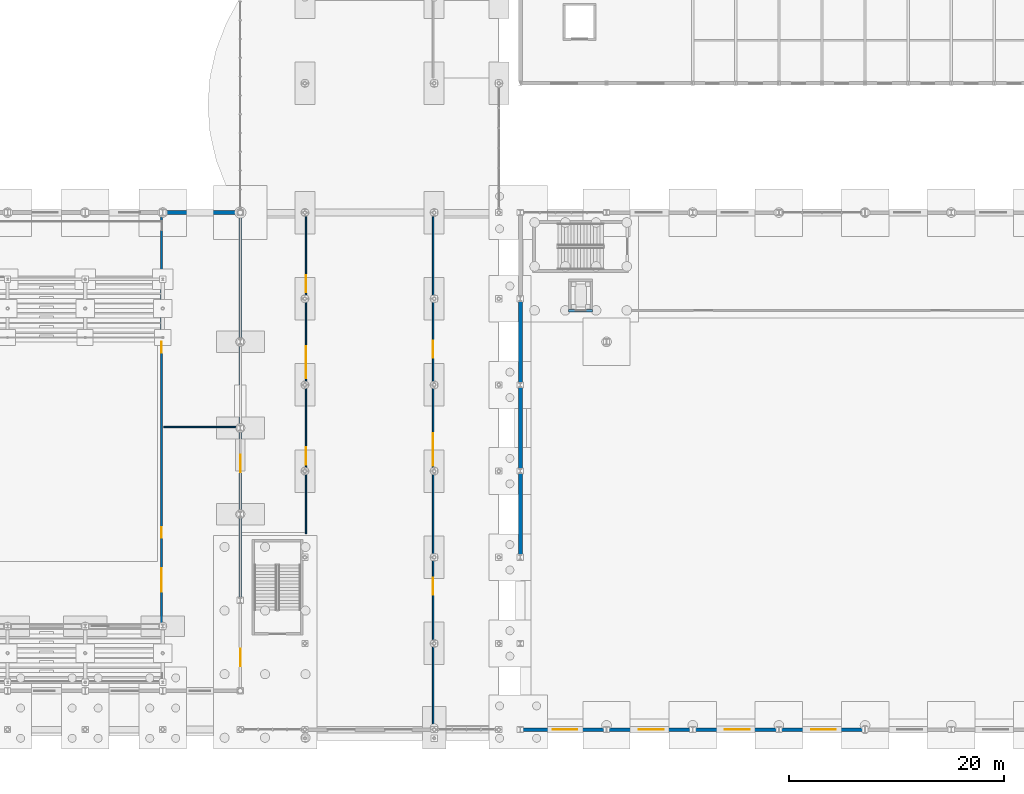
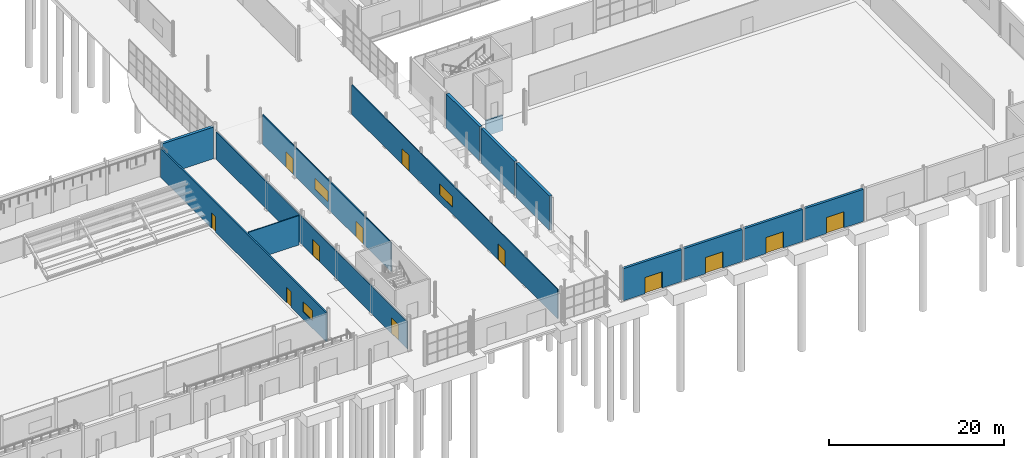
# One storey, part 76 of 101: 14 walls, 12 doors, 3 windows, 15 openings.
"""IFC4 building model written with IfcOpenShell, lengths in metres."""

from ifc_helpers import new_model, si_unit, derived_unit, direction, frame, frame_2d, origin, place, context, subcontext, project, spatial, rectangle, extrude, material, layer, layer_set, type_object, element, fill, save


model = new_model("IFC4")

# Units and contexts
model_context = context("Model", 3, precision=1e-05, world=origin(), true_north=direction((0.0, 1.0)))
body_context = subcontext(model_context, "Body", "Model", "MODEL_VIEW")
ifc_project = project(units=[si_unit("LENGTHUNIT", "METRE"), si_unit("AREAUNIT", "SQUARE_METRE"), si_unit("VOLUMEUNIT", "CUBIC_METRE"), si_unit("PLANEANGLEUNIT", "RADIAN"), si_unit("MASSUNIT", "GRAM", prefix="KILO"), derived_unit("THERMALTRANSMITTANCEUNIT", [(si_unit("POWERUNIT", "WATT"), 1), (si_unit("LENGTHUNIT", "METRE"), -2), (si_unit("THERMODYNAMICTEMPERATUREUNIT", "KELVIN"), -1)])], contexts=[model_context])

# Site, building, storey
site_placement = place(None, origin())
site = spatial("IfcSite", under=ifc_project, at=site_placement, CompositionType="ELEMENT")
building_placement = place(site_placement, origin())
building = spatial("IfcBuilding", under=site, at=building_placement, Name="Keldorne Ridge Multi-Sports Centre", CompositionType="ELEMENT")
storey_placement = place(building_placement, origin())
storey = spatial("IfcBuildingStorey", under=building, at=storey_placement, Name="L00", CompositionType="ELEMENT", Elevation=0.0)

# Wall, opening, door
ifc_material_1 = material(Name="Precast concrete C40/50", Category="concrete")
ifc_layer_1 = layer(ifc_material_1, 0.320068359375)
ifc_layer_set_1 = layer_set([ifc_layer_1], Name="Precast concrete C40/50")
wall_type_1 = type_object("IfcWallType", Name="WAL-PR-W1", PredefinedType="STANDARD", material=ifc_layer_set_1)
wall_1_placement = place(storey_placement, frame((104.155029296875, 6.0, 0.0), z_axis=(0.0, 0.0, 1.0), x_axis=(1.0, 0.0, 0.0)))
wall_1 = element("IfcWall", 1, at=wall_1_placement, inside=storey, type_object=wall_type_1, Name="Stacked Courts south ground wall 1", PredefinedType="STANDARD", context=body_context, shape_type="SweptSolid", body=[
    extrude(rectangle(XDim=7.68994140625, YDim=0.320068359375, at=frame_2d((3.844970703125, 0.0))), origin(), (0.0, 0.0, 1.0), 4.47998046875),
])
opening_1_placement = place(wall_1_placement, frame((2.8349609375, 0.0, 0.0)))
opening_1 = element("IfcOpeningElement", 2, at=opening_1_placement, cuts=wall_1, Name="Opening ED-03", PredefinedType="OPENING", context=body_context, shape_type="SweptSolid", body=[
    extrude(rectangle(XDim=2.300048828125, YDim=2.25, at=frame_2d((1.14990234375, 1.125))), frame((0.0, 0.169921875, 0.0), z_axis=(0.0, -1.0, 0.0), x_axis=(1.0, 0.0, 0.0)), (0.0, 0.0, 1.0), 0.340087890625),
])
ifc_material_2 = material(Name="Galvanized steel", Category="steel")
door_type_1 = type_object("IfcDoorType", Name="DR-ED-03", OperationType="NOTDEFINED", PredefinedType="DOOR", material=ifc_material_2)
door_1_placement = place(opening_1_placement, origin())
door_1 = element("IfcDoor", 3, at=door_1_placement, inside=storey, type_object=door_type_1, Name="Lower Training Hall south double exit door 1", OperationType="DOUBLE_DOOR_SINGLE_SWING", OverallHeight=2.25, OverallWidth=2.300048828125, PredefinedType="DOOR", context=body_context, shape_type="SweptSolid", body=[
    extrude(rectangle(XDim=2.300048828125, YDim=2.25, at=frame_2d((1.14990234375, 1.125))), frame((0.0, 0.02490234375, 0.0), z_axis=(0.0, -1.0, 0.0), x_axis=(1.0, 0.0, 0.0)), (0.0, 0.0, 1.0), 0.050048828125),
])
fill(opening_1, door_1)

wall_2_placement = place(storey_placement, frame((112.155029296875, 6.0, 0.0), z_axis=(0.0, 0.0, 1.0), x_axis=(1.0, 0.0, 0.0)))
wall_2 = element("IfcWall", 4, at=wall_2_placement, inside=storey, type_object=wall_type_1, Name="Stacked Courts south ground wall 2", PredefinedType="STANDARD", context=body_context, shape_type="SweptSolid", body=[
    extrude(rectangle(XDim=7.68994140625, YDim=0.320068359375, at=frame_2d((3.844970703125, 0.0))), origin(), (0.0, 0.0, 1.0), 4.47998046875),
])
opening_2_placement = place(wall_2_placement, frame((2.8349609375, 0.0, 0.0)))
opening_2 = element("IfcOpeningElement", 5, at=opening_2_placement, cuts=wall_2, Name="Opening ED-03", PredefinedType="OPENING", context=body_context, shape_type="SweptSolid", body=[
    extrude(rectangle(XDim=2.300048828125, YDim=2.25, at=frame_2d((1.14990234375, 1.125))), frame((0.0, 0.169921875, 0.0), z_axis=(0.0, -1.0, 0.0), x_axis=(1.0, 0.0, 0.0)), (0.0, 0.0, 1.0), 0.340087890625),
])
door_2_placement = place(opening_2_placement, origin())
door_2 = element("IfcDoor", 6, at=door_2_placement, inside=storey, type_object=door_type_1, Name="Lower Training Hall south double exit door 2", OperationType="DOUBLE_DOOR_SINGLE_SWING", OverallHeight=2.25, OverallWidth=2.300048828125, PredefinedType="DOOR", context=body_context, shape_type="SweptSolid", body=[
    extrude(rectangle(XDim=2.300048828125, YDim=2.25, at=frame_2d((1.14990234375, 1.125))), frame((0.0, 0.02490234375, 0.0), z_axis=(0.0, -1.0, 0.0), x_axis=(1.0, 0.0, 0.0)), (0.0, 0.0, 1.0), 0.050048828125),
])
fill(opening_2, door_2)

wall_3_placement = place(storey_placement, frame((120.155029296875, 6.0, 0.0), z_axis=(0.0, 0.0, 1.0), x_axis=(1.0, 0.0, 0.0)))
wall_3 = element("IfcWall", 7, at=wall_3_placement, inside=storey, type_object=wall_type_1, Name="Stacked Courts south ground wall 3", PredefinedType="STANDARD", context=body_context, shape_type="SweptSolid", body=[
    extrude(rectangle(XDim=7.68994140625, YDim=0.320068359375, at=frame_2d((3.844970703125, 0.0))), origin(), (0.0, 0.0, 1.0), 4.47998046875),
])
opening_3_placement = place(wall_3_placement, frame((2.8349609375, 0.0, 0.0)))
opening_3 = element("IfcOpeningElement", 8, at=opening_3_placement, cuts=wall_3, Name="Opening ED-03", PredefinedType="OPENING", context=body_context, shape_type="SweptSolid", body=[
    extrude(rectangle(XDim=2.300048828125, YDim=2.25, at=frame_2d((1.14990234375, 1.125))), frame((0.0, 0.169921875, 0.0), z_axis=(0.0, -1.0, 0.0), x_axis=(1.0, 0.0, 0.0)), (0.0, 0.0, 1.0), 0.340087890625),
])
door_3_placement = place(opening_3_placement, origin())
door_3 = element("IfcDoor", 9, at=door_3_placement, inside=storey, type_object=door_type_1, Name="Lower Training Hall south double exit door 3", OperationType="DOUBLE_DOOR_SINGLE_SWING", OverallHeight=2.25, OverallWidth=2.300048828125, PredefinedType="DOOR", context=body_context, shape_type="SweptSolid", body=[
    extrude(rectangle(XDim=2.300048828125, YDim=2.25, at=frame_2d((1.14990234375, 1.125))), frame((0.0, 0.02490234375, 0.0), z_axis=(0.0, -1.0, 0.0), x_axis=(1.0, 0.0, 0.0)), (0.0, 0.0, 1.0), 0.050048828125),
])
fill(opening_3, door_3)

wall_4_placement = place(storey_placement, frame((128.155029296875, 6.0, 0.0), z_axis=(0.0, 0.0, 1.0), x_axis=(1.0, 0.0, 0.0)))
wall_4 = element("IfcWall", 10, at=wall_4_placement, inside=storey, type_object=wall_type_1, Name="Stacked Courts south ground wall 4", PredefinedType="STANDARD", context=body_context, shape_type="SweptSolid", body=[
    extrude(rectangle(XDim=7.69287109375, YDim=0.320068359375, at=frame_2d((3.846435546875, 0.0))), origin(), (0.0, 0.0, 1.0), 4.47998046875),
])
opening_4_placement = place(wall_4_placement, frame((2.8349609375, 0.0, 0.0)))
opening_4 = element("IfcOpeningElement", 11, at=opening_4_placement, cuts=wall_4, Name="Opening ED-03", PredefinedType="OPENING", context=body_context, shape_type="SweptSolid", body=[
    extrude(rectangle(XDim=2.300048828125, YDim=2.25, at=frame_2d((1.14990234375, 1.125))), frame((0.0, 0.169921875, 0.0), z_axis=(0.0, -1.0, 0.0), x_axis=(1.0, 0.0, 0.0)), (0.0, 0.0, 1.0), 0.340087890625),
])
door_4_placement = place(opening_4_placement, origin())
door_4 = element("IfcDoor", 12, at=door_4_placement, inside=storey, type_object=door_type_1, Name="Lower Training Hall south double exit door 4", OperationType="DOUBLE_DOOR_SINGLE_SWING", OverallHeight=2.25, OverallWidth=2.300048828125, PredefinedType="DOOR", context=body_context, shape_type="SweptSolid", body=[
    extrude(rectangle(XDim=2.300048828125, YDim=2.25, at=frame_2d((1.14990234375, 1.125))), frame((0.0, 0.02490234375, 0.0), z_axis=(0.0, -1.0, 0.0), x_axis=(1.0, 0.0, 0.0)), (0.0, 0.0, 1.0), 0.050048828125),
])
fill(opening_4, door_4)

# Walls
ifc_layer_2 = layer(ifc_material_1, 0.360107421875)
ifc_layer_set_2 = layer_set([ifc_layer_2], Name="Precast concrete C40/50")
wall_type_2 = type_object("IfcWallType", Name="WAL-PR-W2", PredefinedType="STANDARD", material=ifc_layer_set_2)
wall_5_placement = place(storey_placement, frame((77.743896484375, 54.0, 0.0), z_axis=(0.0, 0.0, 1.0), x_axis=(-1.0, 0.0, 0.0)))
element("IfcWall", 13, at=wall_5_placement, inside=storey, type_object=wall_type_2, Name="Main Hall north acoustic wall bay 10", PredefinedType="STANDARD", context=body_context, shape_type="SweptSolid", body=[
    extrude(rectangle(XDim=6.7919921875, YDim=0.360107421875, at=frame_2d((3.39599609375, 0.0))), origin(), (0.0, 0.0, 1.0), 4.425048828125),
])
for number, where, z_axis, x_axis, name in (
    (14, (104.0, 29.798095703125, 0.0), (0.0, 0.0, 1.0), (0.0, -1.0, 0.0), "Stacked Courts movement-joint wall L00.3"),
    (15, (104.0, 37.798095703125, 0.0), (0.0, 0.0, 1.0), (0.0, -1.0, 0.0), "Stacked Courts movement-joint wall L00.4"),
    (16, (104.0, 45.798095703125, 0.0), (0.0, 0.0, 1.0), (0.0, -1.0, 0.0), "Stacked Courts movement-joint wall L00.5"),
):
    element("IfcWall", number, at=place(storey_placement, frame(where, z_axis=z_axis, x_axis=x_axis)), inside=storey, type_object=wall_type_2, Name=name, PredefinedType="STANDARD", context=body_context, shape_type="SweptSolid", body=[
        extrude(rectangle(XDim=7.59619140625, YDim=0.360107421875, at=frame_2d((3.798095703125, 0.0))), origin(), (0.0, 0.0, 1.0), 4.800048828125),
    ])
ifc_material_3 = material(Name="Acoustic metal stud plasterboard")
ifc_layer_3 = layer(ifc_material_3, 0.125)
ifc_layer_set_3 = layer_set([ifc_layer_3])
wall_type_3 = type_object("IfcWallType", Name="WAL-PT-01", PredefinedType="PARTITIONING", material=ifc_layer_set_3)
wall_6_placement = place(storey_placement, frame((70.89990234375, 34.10009765625, 0.0), z_axis=(0.0, 0.0, 1.0), x_axis=(1.0, 0.0, 0.0)))
element("IfcWall", 17, at=wall_6_placement, inside=storey, type_object=wall_type_3, Name="Event/officials office divider IW-L00-015", PredefinedType="PARTITIONING", context=body_context, shape_type="SweptSolid", body=[
    extrude(rectangle(XDim=6.7001953125, YDim=0.125, at=frame_2d((3.35009765625, 0.0))), origin(), (0.0, 0.0, 1.0), 4.10009765625),
])

# Wall, openings, doors, window
wall_7_placement = place(storey_placement, frame((84.10009765625, 24.199951171875, 0.0), z_axis=(0.0, 0.0, 1.0), x_axis=(0.0, 1.0, 0.0)))
wall_7 = element("IfcWall", 18, at=wall_7_placement, inside=storey, type_object=wall_type_3, Name="Main Reception Foyer glazing wall IW-L00-017", PredefinedType="PARTITIONING", context=body_context, shape_type="SweptSolid", body=[
    extrude(rectangle(XDim=29.400146484375, YDim=0.125, at=frame_2d((14.7001953125, 0.0))), origin(), (0.0, 0.0, 1.0), 4.10009765625),
])
opening_5_placement = place(wall_7_placement, frame((6.39990234375, 0.0, 0.0)))
opening_5 = element("IfcOpeningElement", 19, at=opening_5_placement, cuts=wall_7, Name="Opening D-04", PredefinedType="OPENING", context=body_context, shape_type="SweptSolid", body=[
    extrude(rectangle(XDim=1.60009765625, YDim=2.199951171875, at=frame_2d((0.800048828125, 1.10009765625))), frame((0.0, 0.072509765625, 0.0), z_axis=(0.0, -1.0, 0.0), x_axis=(1.0, 0.0, 0.0)), (0.0, 0.0, 1.0), 0.14501953125),
])
opening_6_placement = place(wall_7_placement, frame((22.39990234375, 0.0, 0.0)))
opening_6 = element("IfcOpeningElement", 20, at=opening_6_placement, cuts=wall_7, Name="Opening D-04", PredefinedType="OPENING", context=body_context, shape_type="SweptSolid", body=[
    extrude(rectangle(XDim=1.60009765625, YDim=2.199951171875, at=frame_2d((0.800048828125, 1.10009765625))), frame((0.0, 0.072509765625, 0.0), z_axis=(0.0, -1.0, 0.0), x_axis=(1.0, 0.0, 0.0)), (0.0, 0.0, 1.0), 0.14501953125),
])
opening_7_placement = place(wall_7_placement, frame((14.39990234375, 0.0, 1.0)))
opening_7 = element("IfcOpeningElement", 21, at=opening_7_placement, cuts=wall_7, Name="Opening IW-02", PredefinedType="OPENING", context=body_context, shape_type="SweptSolid", body=[
    extrude(rectangle(XDim=3.0, YDim=1.5, at=frame_2d((1.5, 0.75))), frame((0.0, 0.072509765625, 0.0), z_axis=(0.0, -1.0, 0.0), x_axis=(1.0, 0.0, 0.0)), (0.0, 0.0, 1.0), 0.14501953125),
])
ifc_material_4 = material(Name="Timber fire-resisting pair", Category="wood")
door_type_2 = type_object("IfcDoorType", Name="DR-D-04", OperationType="NOTDEFINED", PredefinedType="DOOR", material=ifc_material_4)
door_5_placement = place(opening_5_placement, origin())
door_5 = element("IfcDoor", 22, at=door_5_placement, inside=storey, type_object=door_type_2, Name="Main Reception Foyer south door D-072", OperationType="DOUBLE_DOOR_SINGLE_SWING", OverallHeight=2.199951171875, OverallWidth=1.60009765625, PredefinedType="DOOR", context=body_context, shape_type="SweptSolid", body=[
    extrude(rectangle(XDim=1.60009765625, YDim=2.199951171875, at=frame_2d((0.800048828125, 1.10009765625))), frame((0.0, 0.02490234375, 0.0), z_axis=(0.0, -1.0, 0.0), x_axis=(1.0, 0.0, 0.0)), (0.0, 0.0, 1.0), 0.050048828125),
])
fill(opening_5, door_5)
door_6_placement = place(opening_6_placement, origin())
door_6 = element("IfcDoor", 23, at=door_6_placement, inside=storey, type_object=door_type_2, Name="Main Reception Foyer north door D-073", OperationType="DOUBLE_DOOR_SINGLE_SWING", OverallHeight=2.199951171875, OverallWidth=1.60009765625, PredefinedType="DOOR", context=body_context, shape_type="SweptSolid", body=[
    extrude(rectangle(XDim=1.60009765625, YDim=2.199951171875, at=frame_2d((0.800048828125, 1.10009765625))), frame((0.0, 0.02490234375, 0.0), z_axis=(0.0, -1.0, 0.0), x_axis=(1.0, 0.0, 0.0)), (0.0, 0.0, 1.0), 0.050048828125),
])
fill(opening_6, door_6)
ifc_material_5 = material(Name="Anodized aluminium", Category="aluminium")
window_type_1 = type_object("IfcWindowType", Name="WIN-IW-02", PartitioningType="SINGLE_PANEL", PredefinedType="WINDOW", material=ifc_material_5)
window_1_placement = place(opening_7_placement, origin())
window_1 = element("IfcWindow", 24, at=window_1_placement, inside=storey, type_object=window_type_1, Name="Internal viewing window", OverallHeight=1.5, OverallWidth=3.0, PartitioningType="SINGLE_PANEL", PredefinedType="WINDOW", context=body_context, shape_type="SweptSolid", body=[
    extrude(rectangle(XDim=3.0, YDim=1.5, at=frame_2d((1.5, 0.75))), frame((0.0, 0.030029296875, 0.0), z_axis=(0.0, -1.0, 0.0), x_axis=(1.0, 0.0, 0.0)), (0.0, 0.0, 1.0), 0.06005859375),
])
fill(opening_7, window_1)

wall_8_placement = place(storey_placement, frame((95.89990234375, 6.5, 0.0), z_axis=(0.0, 0.0, 1.0), x_axis=(0.0, 1.0, 0.0)))
wall_8 = element("IfcWall", 25, at=wall_8_placement, inside=storey, type_object=wall_type_3, Name="Sports Cafe passage wall IW-L00-018", PredefinedType="PARTITIONING", context=body_context, shape_type="SweptSolid", body=[
    extrude(rectangle(XDim=47.10009765625, YDim=0.125, at=frame_2d((23.550048828125, 0.0))), origin(), (0.0, 0.0, 1.0), 4.10009765625),
])
opening_8_placement = place(wall_8_placement, frame((12.0, 0.0, 0.0)))
opening_8 = element("IfcOpeningElement", 26, at=opening_8_placement, cuts=wall_8, Name="Opening D-04", PredefinedType="OPENING", context=body_context, shape_type="SweptSolid", body=[
    extrude(rectangle(XDim=1.60009765625, YDim=2.199951171875, at=frame_2d((0.800048828125, 1.10009765625))), frame((0.0, 0.072509765625, 0.0), z_axis=(0.0, -1.0, 0.0), x_axis=(1.0, 0.0, 0.0)), (0.0, 0.0, 1.0), 0.14501953125),
])
opening_9_placement = place(wall_8_placement, frame((34.0, 0.0, 0.0)))
opening_9 = element("IfcOpeningElement", 27, at=opening_9_placement, cuts=wall_8, Name="Opening D-04", PredefinedType="OPENING", context=body_context, shape_type="SweptSolid", body=[
    extrude(rectangle(XDim=1.60009765625, YDim=2.199951171875, at=frame_2d((0.800048828125, 1.10009765625))), frame((0.0, 0.072509765625, 0.0), z_axis=(0.0, -1.0, 0.0), x_axis=(1.0, 0.0, 0.0)), (0.0, 0.0, 1.0), 0.14501953125),
])
opening_10_placement = place(wall_8_placement, frame((24.0, 0.0, 1.0)))
opening_10 = element("IfcOpeningElement", 28, at=opening_10_placement, cuts=wall_8, Name="Opening IW-02", PredefinedType="OPENING", context=body_context, shape_type="SweptSolid", body=[
    extrude(rectangle(XDim=3.0, YDim=1.5, at=frame_2d((1.5, 0.75))), frame((0.0, 0.072509765625, 0.0), z_axis=(0.0, -1.0, 0.0), x_axis=(1.0, 0.0, 0.0)), (0.0, 0.0, 1.0), 0.14501953125),
])
door_7_placement = place(opening_8_placement, origin())
door_7 = element("IfcDoor", 29, at=door_7_placement, inside=storey, type_object=door_type_2, Name="Sports Cafe south entrance D-074", OperationType="DOUBLE_DOOR_SINGLE_SWING", OverallHeight=2.199951171875, OverallWidth=1.60009765625, PredefinedType="DOOR", context=body_context, shape_type="SweptSolid", body=[
    extrude(rectangle(XDim=1.60009765625, YDim=2.199951171875, at=frame_2d((0.800048828125, 1.10009765625))), frame((0.0, 0.02490234375, 0.0), z_axis=(0.0, -1.0, 0.0), x_axis=(1.0, 0.0, 0.0)), (0.0, 0.0, 1.0), 0.050048828125),
])
fill(opening_8, door_7)
door_8_placement = place(opening_9_placement, origin())
door_8 = element("IfcDoor", 30, at=door_8_placement, inside=storey, type_object=door_type_2, Name="Sports Cafe north entrance D-075", OperationType="DOUBLE_DOOR_SINGLE_SWING", OverallHeight=2.199951171875, OverallWidth=1.60009765625, PredefinedType="DOOR", context=body_context, shape_type="SweptSolid", body=[
    extrude(rectangle(XDim=1.60009765625, YDim=2.199951171875, at=frame_2d((0.800048828125, 1.10009765625))), frame((0.0, 0.02490234375, 0.0), z_axis=(0.0, -1.0, 0.0), x_axis=(1.0, 0.0, 0.0)), (0.0, 0.0, 1.0), 0.050048828125),
])
fill(opening_9, door_8)
window_2_placement = place(opening_10_placement, origin())
window_2 = element("IfcWindow", 31, at=window_2_placement, inside=storey, type_object=window_type_1, Name="Internal viewing window", OverallHeight=1.5, OverallWidth=3.0, PartitioningType="SINGLE_PANEL", PredefinedType="WINDOW", context=body_context, shape_type="SweptSolid", body=[
    extrude(rectangle(XDim=3.0, YDim=1.5, at=frame_2d((1.5, 0.75))), frame((0.0, 0.030029296875, 0.0), z_axis=(0.0, -1.0, 0.0), x_axis=(1.0, 0.0, 0.0)), (0.0, 0.0, 1.0), 0.06005859375),
])
fill(opening_10, window_2)

# Wall, openings, doors
ifc_material_6 = material(Name="Fire-rated twin stud plasterboard")
ifc_layer_4 = layer(ifc_material_6, 0.14990234375)
ifc_layer_set_4 = layer_set([ifc_layer_4])
wall_type_4 = type_object("IfcWallType", Name="WAL-PT-02", PredefinedType="PARTITIONING", material=ifc_layer_set_4)
wall_9_placement = place(storey_placement, frame((78.0, 9.89990234375, 0.0), z_axis=(0.0, 0.0, 1.0), x_axis=(0.0, 1.0, 0.0)))
wall_9 = element("IfcWall", 32, at=wall_9_placement, inside=storey, type_object=wall_type_4, Name="Main Hall to Passage foyer wall IW-L00-016", PredefinedType="PARTITIONING", context=body_context, shape_type="SweptSolid", body=[
    extrude(rectangle(XDim=43.7001953125, YDim=0.14990234375, at=frame_2d((21.85009765625, 0.0))), origin(), (0.0, 0.0, 1.0), 3.81494140625),
])
opening_11_placement = place(wall_9_placement, frame((2.0, 0.0, 0.0)))
opening_11 = element("IfcOpeningElement", 33, at=opening_11_placement, cuts=wall_9, Name="Opening D-04", PredefinedType="OPENING", context=body_context, shape_type="SweptSolid", body=[
    extrude(rectangle(XDim=1.60009765625, YDim=2.199951171875, at=frame_2d((0.800048828125, 1.10009765625))), frame((0.0, 0.0849609375, 0.0), z_axis=(0.0, -1.0, 0.0), x_axis=(1.0, 0.0, 0.0)), (0.0, 0.0, 1.0), 0.169921875),
])
opening_12_placement = place(wall_9_placement, frame((20.0, 0.0, 0.0)))
opening_12 = element("IfcOpeningElement", 34, at=opening_12_placement, cuts=wall_9, Name="Opening D-04", PredefinedType="OPENING", context=body_context, shape_type="SweptSolid", body=[
    extrude(rectangle(XDim=1.60009765625, YDim=2.199951171875, at=frame_2d((0.800048828125, 1.10009765625))), frame((0.0, 0.0849609375, 0.0), z_axis=(0.0, -1.0, 0.0), x_axis=(1.0, 0.0, 0.0)), (0.0, 0.0, 1.0), 0.169921875),
])
door_9_placement = place(opening_11_placement, origin())
door_9 = element("IfcDoor", 35, at=door_9_placement, inside=storey, type_object=door_type_2, Name="South concourse to Passage door D-070", OperationType="DOUBLE_DOOR_SINGLE_SWING", OverallHeight=2.199951171875, OverallWidth=1.60009765625, PredefinedType="DOOR", context=body_context, shape_type="SweptSolid", body=[
    extrude(rectangle(XDim=1.60009765625, YDim=2.199951171875, at=frame_2d((0.800048828125, 1.10009765625))), frame((0.0, 0.02490234375, 0.0), z_axis=(0.0, -1.0, 0.0), x_axis=(1.0, 0.0, 0.0)), (0.0, 0.0, 1.0), 0.050048828125),
])
fill(opening_11, door_9)
door_10_placement = place(opening_12_placement, origin())
door_10 = element("IfcDoor", 36, at=door_10_placement, inside=storey, type_object=door_type_2, Name="Main Reception Foyer to Operations door D-071", OperationType="DOUBLE_DOOR_SINGLE_SWING", OverallHeight=2.199951171875, OverallWidth=1.60009765625, PredefinedType="DOOR", context=body_context, shape_type="SweptSolid", body=[
    extrude(rectangle(XDim=1.60009765625, YDim=2.199951171875, at=frame_2d((0.800048828125, 1.10009765625))), frame((0.0, 0.02490234375, 0.0), z_axis=(0.0, -1.0, 0.0), x_axis=(1.0, 0.0, 0.0)), (0.0, 0.0, 1.0), 0.050048828125),
])
fill(opening_12, door_10)

# Wall, openings, doors, window
ifc_material_7 = material(Name="Concrete blockwork C25/30", Category="masonry")
ifc_layer_5 = layer(ifc_material_7, 0.199951171875)
ifc_layer_set_5 = layer_set([ifc_layer_5])
wall_type_5 = type_object("IfcWallType", Name="WAL-PT-03", PredefinedType="PARTITIONING", material=ifc_layer_set_5)
wall_10_placement = place(storey_placement, frame((70.699951171875, 15.800048828125, 0.0), z_axis=(0.0, 0.0, 1.0), x_axis=(0.0, 1.0, 0.0)))
wall_10 = element("IfcWall", 37, at=wall_10_placement, inside=storey, type_object=wall_type_5, Name="Main Hall east control wall IW-L00-014", PredefinedType="PARTITIONING", context=body_context, shape_type="SweptSolid", body=[
    extrude(rectangle(XDim=37.800048828125, YDim=0.199951171875, at=frame_2d((18.89990234375, 0.0))), origin(), (0.0, 0.0, 1.0), 4.10009765625),
])
opening_13_placement = place(wall_10_placement, frame((8.0, 0.0, 0.0)))
opening_13 = element("IfcOpeningElement", 38, at=opening_13_placement, cuts=wall_10, Name="Opening D-02", PredefinedType="OPENING", context=body_context, shape_type="SweptSolid", body=[
    extrude(rectangle(XDim=1.0, YDim=2.14990234375, at=frame_2d((0.5, 1.074951171875))), frame((0.0, 0.10986328125, 0.0), z_axis=(0.0, -1.0, 0.0), x_axis=(1.0, 0.0, 0.0)), (0.0, 0.0, 1.0), 0.219970703125),
])
opening_14_placement = place(wall_10_placement, frame((25.199951171875, 0.0, 0.0)))
opening_14 = element("IfcOpeningElement", 39, at=opening_14_placement, cuts=wall_10, Name="Opening D-02", PredefinedType="OPENING", context=body_context, shape_type="SweptSolid", body=[
    extrude(rectangle(XDim=1.0, YDim=2.14990234375, at=frame_2d((0.5, 1.074951171875))), frame((0.0, 0.10986328125, 0.0), z_axis=(0.0, -1.0, 0.0), x_axis=(1.0, 0.0, 0.0)), (0.0, 0.0, 1.0), 0.219970703125),
])
opening_15_placement = place(wall_10_placement, frame((3.0, 0.0, 1.050048828125)))
opening_15 = element("IfcOpeningElement", 40, at=opening_15_placement, cuts=wall_10, Name="Opening IW-01", PredefinedType="OPENING", context=body_context, shape_type="SweptSolid", body=[
    extrude(rectangle(XDim=2.199951171875, YDim=1.39990234375, at=frame_2d((1.10009765625, 0.699951171875))), frame((0.0, 0.10986328125, 0.0), z_axis=(0.0, -1.0, 0.0), x_axis=(1.0, 0.0, 0.0)), (0.0, 0.0, 1.0), 0.219970703125),
])
ifc_material_8 = material(Name="Timber acoustic leaf", Category="wood")
door_type_3 = type_object("IfcDoorType", Name="DR-D-02", OperationType="NOTDEFINED", PredefinedType="DOOR", material=ifc_material_8)
door_11_placement = place(opening_13_placement, origin())
door_11 = element("IfcDoor", 41, at=door_11_placement, inside=storey, type_object=door_type_3, Name="Sports event operations office door D-068", OperationType="SINGLE_SWING_LEFT", OverallHeight=2.14990234375, OverallWidth=1.0, PredefinedType="DOOR", context=body_context, shape_type="SweptSolid", body=[
    extrude(rectangle(XDim=1.0, YDim=2.14990234375, at=frame_2d((0.5, 1.074951171875))), frame((0.0, 0.02490234375, 0.0), z_axis=(0.0, -1.0, 0.0), x_axis=(1.0, 0.0, 0.0)), (0.0, 0.0, 1.0), 0.050048828125),
])
fill(opening_13, door_11)
door_12_placement = place(opening_14_placement, origin())
door_12 = element("IfcDoor", 42, at=door_12_placement, inside=storey, type_object=door_type_3, Name="Match officials office door D-069", OperationType="SINGLE_SWING_RIGHT", OverallHeight=2.14990234375, OverallWidth=1.0, PredefinedType="DOOR", context=body_context, shape_type="SweptSolid", body=[
    extrude(rectangle(XDim=1.0, YDim=2.14990234375, at=frame_2d((0.5, 1.074951171875))), frame((0.0, 0.02490234375, 0.0), z_axis=(0.0, -1.0, 0.0), x_axis=(1.0, 0.0, 0.0)), (0.0, 0.0, 1.0), 0.050048828125),
])
fill(opening_14, door_12)
window_type_2 = type_object("IfcWindowType", Name="WIN-IW-01", PartitioningType="SINGLE_PANEL", PredefinedType="WINDOW", material=ifc_material_5)
window_3_placement = place(opening_15_placement, origin())
window_3 = element("IfcWindow", 43, at=window_3_placement, inside=storey, type_object=window_type_2, Name="Internal viewing window", OverallHeight=1.39990234375, OverallWidth=2.199951171875, PartitioningType="SINGLE_PANEL", PredefinedType="WINDOW", context=body_context, shape_type="SweptSolid", body=[
    extrude(rectangle(XDim=2.199951171875, YDim=1.39990234375, at=frame_2d((1.10009765625, 0.699951171875))), frame((0.0, 0.030029296875, 0.0), z_axis=(0.0, -1.0, 0.0), x_axis=(1.0, 0.0, 0.0)), (0.0, 0.0, 1.0), 0.06005859375),
])
fill(opening_15, window_3)

# Wall
ifc_material_9 = material(Name="Concrete C40/50", Category="concrete")
ifc_layer_6 = layer(ifc_material_9, 0.22998046875)
ifc_layer_set_6 = layer_set([ifc_layer_6], Name="Concrete C40/50")
wall_type_6 = type_object("IfcWallType", Name="WAL-SW02", PredefinedType="SHEAR", material=ifc_layer_set_6)
wall_11_placement = place(storey_placement, frame((108.47998046875, 44.889892578125, -2.14990234375), z_axis=(0.0, 0.0, 1.0), x_axis=(1.0, 0.0, 0.0)))
element("IfcWall", 44, at=wall_11_placement, inside=storey, type_object=wall_type_6, Name="Lift L-03 pit wall S", PredefinedType="SHEAR", context=body_context, shape_type="SweptSolid", body=[
    extrude(rectangle(XDim=2.239990234375, YDim=0.219970703125, at=frame_2d((1.1201171875, 0.0))), origin(), (0.0, 0.0, 1.0), 2.14990234375),
])

save(model, "model.ifc")
